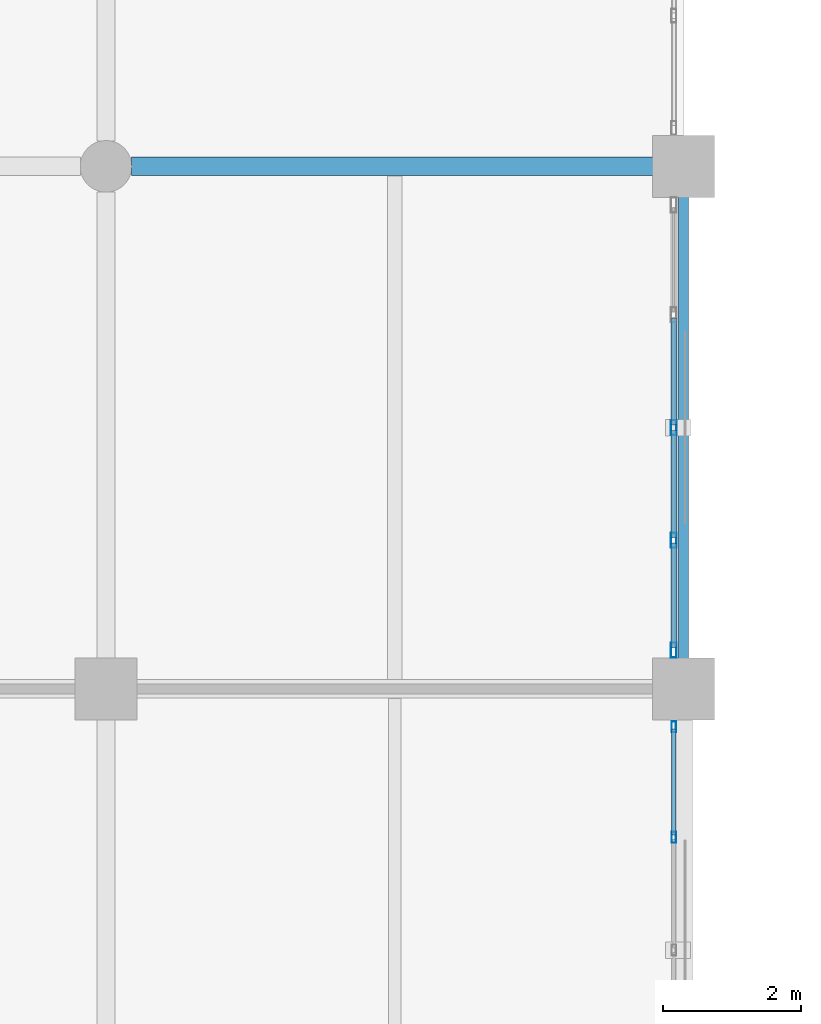
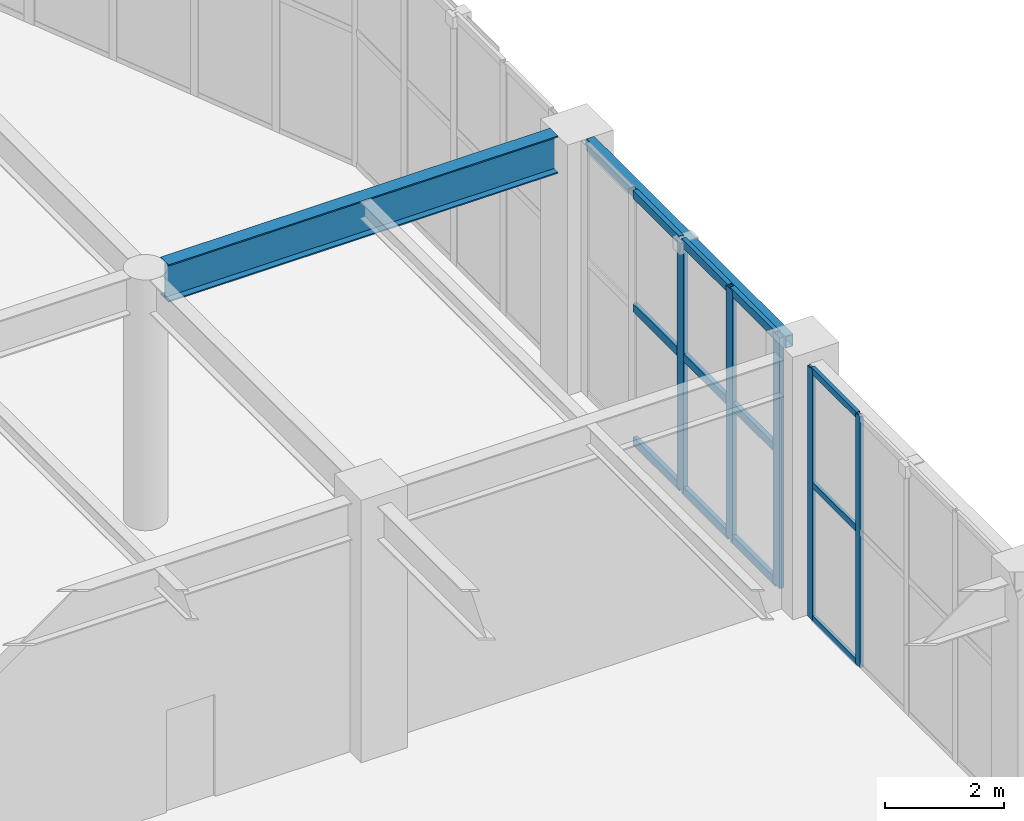
# One storey, part 50 of 139: 17 members, 2 beams, 2 elements without a shape of their own.
"""IFC4 building model written with IfcOpenShell, lengths in metres."""

from ifc_helpers import new_model, si_unit, direction, frame, origin, origin_2d, place, context, subcontext, project, spatial, hollow_rectangle, i_section, extrude, material, layer, layer_set, material_profile, profile_set, type_object, element, aggregate, save


model = new_model("IFC4")

# Units and contexts
model_context = context("Model", 3, precision=1e-05, world=origin(), true_north=direction((0.0, 1.0)))
body_context = subcontext(model_context, "Body", "Model", "MODEL_VIEW")
ifc_project = project(units=[si_unit("LENGTHUNIT", "METRE"), si_unit("AREAUNIT", "SQUARE_METRE"), si_unit("VOLUMEUNIT", "CUBIC_METRE"), si_unit("PLANEANGLEUNIT", "RADIAN"), si_unit("MASSUNIT", "GRAM", prefix="KILO")], contexts=[model_context])

# Site, building, storey
site_placement = place(None, origin())
site = spatial("IfcSite", under=ifc_project, at=site_placement, CompositionType="ELEMENT")
building_placement = place(site_placement, origin())
building = spatial("IfcBuilding", under=site, at=building_placement, Name="Xicomal Pleat Aquarium", CompositionType="ELEMENT")
storey_placement = place(building_placement, origin())
storey = spatial("IfcBuildingStorey", under=building, at=storey_placement, Name="L01", CompositionType="ELEMENT", Elevation=0.0)

# Beams
ifc_material_1 = material(Name="Structural steel A992 Gr 50", Category="steel")
ifc_material_profile_1 = material_profile(ifc_material_1, i_section(OverallWidth=0.26806640625, OverallDepth=0.77001953125, WebThickness=0.015625, FlangeThickness=0.025390625, at=origin_2d()), Name="IR 760x196")
ifc_profile_set_1 = profile_set([ifc_material_profile_1], Name="Structural steel A992 Gr 50")
beam_type_1 = type_object("IfcBeamType", Name="BM-STL-IR760", PredefinedType="BEAM", material=ifc_profile_set_1)
beam_1_placement = place(storey_placement, frame((18.969970703125, 91.199951171875, 4.77490234375), z_axis=(1.0, 0.0, 0.0), x_axis=(0.0, 1.0, 0.0)))
element("IfcBeam", 1, at=beam_1_placement, inside=storey, type_object=beam_type_1, Name="L01 framing beam FGX-L01-03-04-N", PredefinedType="BEAM", context=body_context, shape_type="SweptSolid", body=[
    extrude(i_section(OverallWidth=0.26806640625, OverallDepth=0.77001953125, WebThickness=0.015625, FlangeThickness=0.025390625, at=origin_2d()), origin(), (0.0, 0.0, 1.0), 7.5849609375),
])
ifc_material_2 = material(Name="Structural steel A500 Gr C", Category="steel")
ifc_material_profile_2 = material_profile(ifc_material_2, hollow_rectangle(XDim=0.14990234375, YDim=0.25, WallThickness=0.010009765625, at=origin_2d()), Name="OR 250x150x10")
ifc_profile_set_2 = profile_set([ifc_material_profile_2], Name="Structural steel A500 Gr C")
beam_type_2 = type_object("IfcBeamType", Name="BM-STL-OR250", PredefinedType="SPANDREL", material=ifc_profile_set_2)
beam_2_placement = place(storey_placement, frame((27.0, 84.044921875, 5.034912109375), z_axis=(0.0, 1.0, 0.0), x_axis=(-1.0, 0.0, 0.0)))
element("IfcBeam", 2, at=beam_2_placement, inside=storey, type_object=beam_type_2, Name="L01 framing beam FGY-L01-04-M-N", PredefinedType="SPANDREL", context=body_context, shape_type="SweptSolid", body=[
    extrude(hollow_rectangle(XDim=0.14990234375, YDim=0.25, WallThickness=0.010009765625, at=origin_2d()), origin(), (0.0, 0.0, 1.0), 6.7099609375),
])

# Curtain wall, members
ifc_material_3 = material(Name="Bronze anodized aluminium 6063-T6", Category="aluminium")
ifc_layer_1 = layer(ifc_material_3, 0.159912109375)
ifc_layer_set_1 = layer_set([ifc_layer_1], Name="Bronze anodized aluminium 6063-T6")
curtain_wall_type_1 = type_object("IfcCurtainWallType", Name="CW-SYS-01", PredefinedType="NOTDEFINED", material=ifc_layer_set_1)
curtain_wall_1_placement = place(storey_placement, origin())
curtain_wall_1 = element("IfcCurtainWall", 3, at=curtain_wall_1_placement, inside=storey, type_object=curtain_wall_type_1, Name="L01 unitised curtain wall CW-L01-021", PredefinedType="NOTDEFINED")
ifc_material_4 = material(Name="Bronze anodized aluminium 6063-T6", Category="aluminium")
ifc_material_profile_3 = material_profile(ifc_material_4, hollow_rectangle(XDim=0.06494140625, YDim=0.159912109375, WallThickness=0.00390625, at=origin_2d()), Name="ALU MULL 65x160")
ifc_profile_set_3 = profile_set([ifc_material_profile_3], Name="Bronze anodized aluminium 6063-T6")
member_type_1 = type_object("IfcMemberType", Name="CWM-65x160", PredefinedType="MULLION", material=ifc_profile_set_3)
member_1_placement = place(storey_placement, frame((26.860107421875, 83.047607421875, 0.0), z_axis=(0.0, 0.0, 1.0), x_axis=(1.0, 0.0, 0.0)))
member_1 = element("IfcMember", 4, at=member_1_placement, type_object=member_type_1, Name="CW-01 mullion 1", PredefinedType="MULLION", context=body_context, shape_type="SweptSolid", body=[
    extrude(hollow_rectangle(XDim=0.06494140625, YDim=0.159912109375, WallThickness=0.00390625, at=origin_2d()), origin(), (0.0, 0.0, 1.0), 5.159912109375),
])
member_2_placement = place(storey_placement, frame((26.860107421875, 81.43994140625, 0.0), z_axis=(0.0, 0.0, 1.0), x_axis=(1.0, 0.0, 0.0)))
member_2 = element("IfcMember", 5, at=member_2_placement, type_object=member_type_1, Name="CW-01 mullion 2", PredefinedType="MULLION", context=body_context, shape_type="SweptSolid", body=[
    extrude(hollow_rectangle(XDim=0.06494140625, YDim=0.159912109375, WallThickness=0.00390625, at=origin_2d()), origin(), (0.0, 0.0, 1.0), 5.159912109375),
])

ifc_material_5 = material(Name="Bronze anodized aluminium 6063-T6", Category="aluminium")
ifc_layer_2 = layer(ifc_material_5, 0.159912109375)
ifc_layer_set_2 = layer_set([ifc_layer_2], Name="Bronze anodized aluminium 6063-T6")
curtain_wall_type_2 = type_object("IfcCurtainWallType", Name="CW-SYS-11", PredefinedType="NOTDEFINED", material=ifc_layer_set_2)
curtain_wall_2_placement = place(storey_placement, origin())
curtain_wall_2 = element("IfcCurtainWall", 6, at=curtain_wall_2_placement, inside=storey, type_object=curtain_wall_type_2, Name="L01 unitised curtain wall CW-L01-020", PredefinedType="NOTDEFINED")
ifc_material_6 = material(Name="Bronze anodized aluminium 6063-T6", Category="aluminium")
ifc_material_profile_4 = material_profile(ifc_material_6, hollow_rectangle(XDim=0.0849609375, YDim=0.219970703125, WallThickness=0.0048828125, at=origin_2d()), Name="ALU MULL 85x220")
ifc_profile_set_4 = profile_set([ifc_material_profile_4], Name="Bronze anodized aluminium 6063-T6")
member_type_2 = type_object("IfcMemberType", Name="CWM-85x220", PredefinedType="MULLION", material=ifc_profile_set_4)
member_3_placement = place(storey_placement, frame((26.860107421875, 87.39990234375, 0.0), z_axis=(0.0, 0.0, 1.0), x_axis=(1.0, 0.0, 0.0)))
member_3 = element("IfcMember", 7, at=member_3_placement, type_object=member_type_2, Name="CW-11 mullion 3", PredefinedType="MULLION", context=body_context, shape_type="SweptSolid", body=[
    extrude(hollow_rectangle(XDim=0.0849609375, YDim=0.219970703125, WallThickness=0.0048828125, at=origin_2d()), origin(), (0.0, 0.0, 1.0), 5.159912109375),
])
member_4_placement = place(storey_placement, frame((26.860107421875, 85.760009765625, 0.0), z_axis=(0.0, 0.0, 1.0), x_axis=(1.0, 0.0, 0.0)))
member_4 = element("IfcMember", 8, at=member_4_placement, type_object=member_type_2, Name="CW-11 mullion 4", PredefinedType="MULLION", context=body_context, shape_type="SweptSolid", body=[
    extrude(hollow_rectangle(XDim=0.0849609375, YDim=0.219970703125, WallThickness=0.0048828125, at=origin_2d()), origin(), (0.0, 0.0, 1.0), 5.159912109375),
])
member_5_placement = place(storey_placement, frame((26.860107421875, 84.16259765625, 0.0), z_axis=(0.0, 0.0, 1.0), x_axis=(1.0, 0.0, 0.0)))
member_5 = element("IfcMember", 9, at=member_5_placement, type_object=member_type_2, Name="CW-11 mullion 5", PredefinedType="MULLION", context=body_context, shape_type="SweptSolid", body=[
    extrude(hollow_rectangle(XDim=0.0849609375, YDim=0.219970703125, WallThickness=0.0048828125, at=origin_2d()), origin(), (0.0, 0.0, 1.0), 5.159912109375),
])

# Member
ifc_material_7 = material(Name="Bronze anodized aluminium 6063-T6", Category="aluminium")
ifc_material_profile_5 = material_profile(ifc_material_7, hollow_rectangle(XDim=0.06494140625, YDim=0.1298828125, WallThickness=0.00390625, at=origin_2d()), Name="ALU TRAN 65x130")
ifc_profile_set_5 = profile_set([ifc_material_profile_5], Name="Bronze anodized aluminium 6063-T6")
member_type_3 = type_object("IfcMemberType", Name="CWT-65x130", PredefinedType="USERDEFINED", material=ifc_profile_set_5)
member_6_placement = place(storey_placement, frame((26.860107421875, 83.014892578125, 0.032470703125), z_axis=(0.0, -1.0, 0.0), x_axis=(1.0, 0.0, 0.0)))
member_6 = element("IfcMember", 10, at=member_6_placement, type_object=member_type_3, Name="CW-01 transom 1.1", ObjectType="TRANSOM", PredefinedType="USERDEFINED", context=body_context, shape_type="SweptSolid", body=[
    extrude(hollow_rectangle(XDim=0.06494140625, YDim=0.1298828125, WallThickness=0.00390625, at=origin_2d()), origin(), (0.0, 0.0, 1.0), 1.54248046875),
])

member_7_placement = place(storey_placement, frame((26.860107421875, 83.014892578125, 2.785888671875), z_axis=(0.0, -1.0, 0.0), x_axis=(1.0, 0.0, 0.0)))
member_7 = element("IfcMember", 11, at=member_7_placement, type_object=member_type_3, Name="CW-01 transom 1.2", ObjectType="TRANSOM", PredefinedType="USERDEFINED", context=body_context, shape_type="SweptSolid", body=[
    extrude(hollow_rectangle(XDim=0.06494140625, YDim=0.1298828125, WallThickness=0.00390625, at=origin_2d()), origin(), (0.0, 0.0, 1.0), 1.54248046875),
])

member_8_placement = place(storey_placement, frame((26.860107421875, 83.014892578125, 5.12744140625), z_axis=(0.0, -1.0, 0.0), x_axis=(1.0, 0.0, 0.0)))
member_8 = element("IfcMember", 12, at=member_8_placement, type_object=member_type_3, Name="CW-01 transom 1.3", ObjectType="TRANSOM", PredefinedType="USERDEFINED", context=body_context, shape_type="SweptSolid", body=[
    extrude(hollow_rectangle(XDim=0.06494140625, YDim=0.1298828125, WallThickness=0.00390625, at=origin_2d()), origin(), (0.0, 0.0, 1.0), 1.54248046875),
])

aggregate(curtain_wall_1, [member_1, member_2, member_6, member_7, member_8])

ifc_material_8 = material(Name="Bronze anodized aluminium 6063-T6", Category="aluminium")
ifc_material_profile_6 = material_profile(ifc_material_8, hollow_rectangle(XDim=0.0849609375, YDim=0.169921875, WallThickness=0.0048828125, at=origin_2d()), Name="ALU TRAN 85x170")
ifc_profile_set_6 = profile_set([ifc_material_profile_6], Name="Bronze anodized aluminium 6063-T6")
member_type_4 = type_object("IfcMemberType", Name="CWT-85x170", PredefinedType="USERDEFINED", material=ifc_profile_set_6)
member_9_placement = place(storey_placement, frame((26.860107421875, 88.99755859375, 0.04248046875), z_axis=(0.0, -1.0, 0.0), x_axis=(1.0, 0.0, 0.0)))
member_9 = element("IfcMember", 13, at=member_9_placement, type_object=member_type_4, Name="CW-11 transom 2.1", ObjectType="TRANSOM", PredefinedType="USERDEFINED", context=body_context, shape_type="SweptSolid", body=[
    extrude(hollow_rectangle(XDim=0.0849609375, YDim=0.169921875, WallThickness=0.0048828125, at=origin_2d()), origin(), (0.0, 0.0, 1.0), 1.55517578125),
])

member_10_placement = place(storey_placement, frame((26.860107421875, 88.99755859375, 2.785888671875), z_axis=(0.0, -1.0, 0.0), x_axis=(1.0, 0.0, 0.0)))
member_10 = element("IfcMember", 14, at=member_10_placement, type_object=member_type_4, Name="CW-11 transom 2.2", ObjectType="TRANSOM", PredefinedType="USERDEFINED", context=body_context, shape_type="SweptSolid", body=[
    extrude(hollow_rectangle(XDim=0.0849609375, YDim=0.169921875, WallThickness=0.0048828125, at=origin_2d()), origin(), (0.0, 0.0, 1.0), 1.55517578125),
])

member_11_placement = place(storey_placement, frame((26.860107421875, 88.99755859375, 5.117431640625), z_axis=(0.0, -1.0, 0.0), x_axis=(1.0, 0.0, 0.0)))
member_11 = element("IfcMember", 15, at=member_11_placement, type_object=member_type_4, Name="CW-11 transom 2.3", ObjectType="TRANSOM", PredefinedType="USERDEFINED", context=body_context, shape_type="SweptSolid", body=[
    extrude(hollow_rectangle(XDim=0.0849609375, YDim=0.169921875, WallThickness=0.0048828125, at=origin_2d()), origin(), (0.0, 0.0, 1.0), 1.55517578125),
])

member_12_placement = place(storey_placement, frame((26.860107421875, 87.357421875, 0.04248046875), z_axis=(0.0, -1.0, 0.0), x_axis=(1.0, 0.0, 0.0)))
member_12 = element("IfcMember", 16, at=member_12_placement, type_object=member_type_4, Name="CW-11 transom 3.1", ObjectType="TRANSOM", PredefinedType="USERDEFINED", context=body_context, shape_type="SweptSolid", body=[
    extrude(hollow_rectangle(XDim=0.0849609375, YDim=0.169921875, WallThickness=0.0048828125, at=origin_2d()), origin(), (0.0, 0.0, 1.0), 1.554931640625),
])

member_13_placement = place(storey_placement, frame((26.860107421875, 87.357421875, 2.785888671875), z_axis=(0.0, -1.0, 0.0), x_axis=(1.0, 0.0, 0.0)))
member_13 = element("IfcMember", 17, at=member_13_placement, type_object=member_type_4, Name="CW-11 transom 3.2", ObjectType="TRANSOM", PredefinedType="USERDEFINED", context=body_context, shape_type="SweptSolid", body=[
    extrude(hollow_rectangle(XDim=0.0849609375, YDim=0.169921875, WallThickness=0.0048828125, at=origin_2d()), origin(), (0.0, 0.0, 1.0), 1.554931640625),
])

member_14_placement = place(storey_placement, frame((26.860107421875, 87.357421875, 5.117431640625), z_axis=(0.0, -1.0, 0.0), x_axis=(1.0, 0.0, 0.0)))
member_14 = element("IfcMember", 18, at=member_14_placement, type_object=member_type_4, Name="CW-11 transom 3.3", ObjectType="TRANSOM", PredefinedType="USERDEFINED", context=body_context, shape_type="SweptSolid", body=[
    extrude(hollow_rectangle(XDim=0.0849609375, YDim=0.169921875, WallThickness=0.0048828125, at=origin_2d()), origin(), (0.0, 0.0, 1.0), 1.554931640625),
])

member_15_placement = place(storey_placement, frame((26.860107421875, 85.717529296875, 0.04248046875), z_axis=(0.0, -1.0, 0.0), x_axis=(1.0, 0.0, 0.0)))
member_15 = element("IfcMember", 19, at=member_15_placement, type_object=member_type_4, Name="CW-11 transom 4.1", ObjectType="TRANSOM", PredefinedType="USERDEFINED", context=body_context, shape_type="SweptSolid", body=[
    extrude(hollow_rectangle(XDim=0.0849609375, YDim=0.169921875, WallThickness=0.0048828125, at=origin_2d()), origin(), (0.0, 0.0, 1.0), 1.512451171875),
])

member_16_placement = place(storey_placement, frame((26.860107421875, 85.717529296875, 2.785888671875), z_axis=(0.0, -1.0, 0.0), x_axis=(1.0, 0.0, 0.0)))
member_16 = element("IfcMember", 20, at=member_16_placement, type_object=member_type_4, Name="CW-11 transom 4.2", ObjectType="TRANSOM", PredefinedType="USERDEFINED", context=body_context, shape_type="SweptSolid", body=[
    extrude(hollow_rectangle(XDim=0.0849609375, YDim=0.169921875, WallThickness=0.0048828125, at=origin_2d()), origin(), (0.0, 0.0, 1.0), 1.512451171875),
])

member_17_placement = place(storey_placement, frame((26.860107421875, 85.717529296875, 5.117431640625), z_axis=(0.0, -1.0, 0.0), x_axis=(1.0, 0.0, 0.0)))
member_17 = element("IfcMember", 21, at=member_17_placement, type_object=member_type_4, Name="CW-11 transom 4.3", ObjectType="TRANSOM", PredefinedType="USERDEFINED", context=body_context, shape_type="SweptSolid", body=[
    extrude(hollow_rectangle(XDim=0.0849609375, YDim=0.169921875, WallThickness=0.0048828125, at=origin_2d()), origin(), (0.0, 0.0, 1.0), 1.512451171875),
])

aggregate(curtain_wall_2, [member_3, member_4, member_5, member_9, member_10, member_11, member_12, member_13, member_14, member_15, member_16, member_17])

save(model, "model.ifc")
